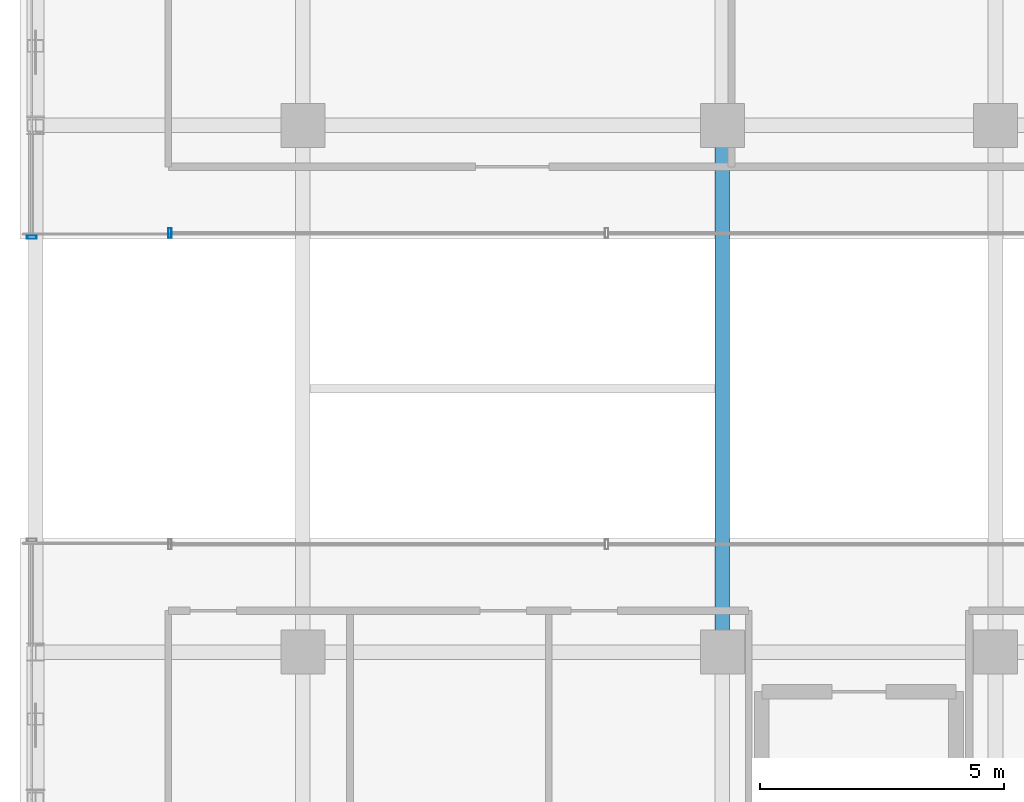
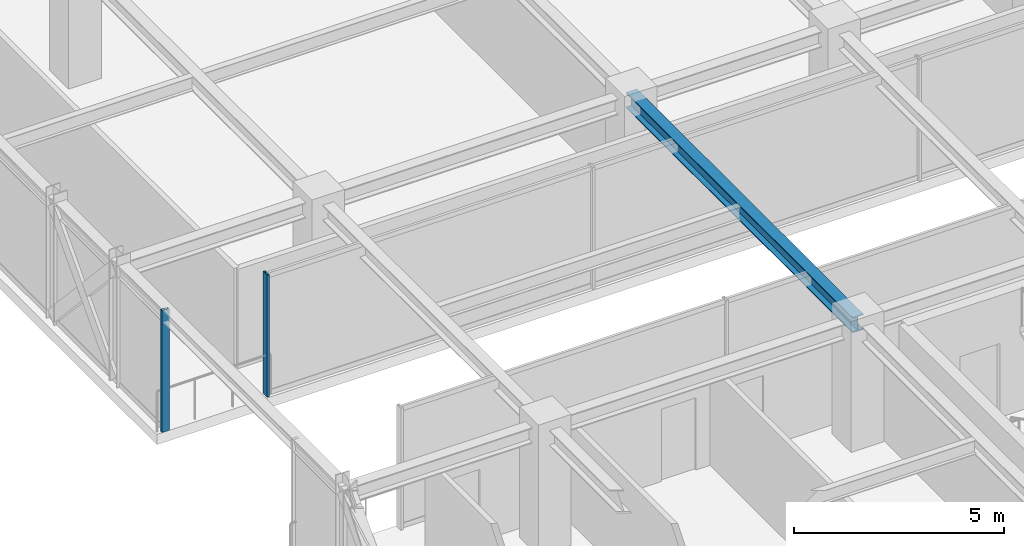
# One storey, part 11 of 39: 2 members, 1 beam, 2 elements without a shape of their own.
"""IFC4 building model written with IfcOpenShell, lengths in metres."""

from ifc_helpers import new_model, si_unit, direction, frame, origin, origin_2d, place, context, subcontext, project, spatial, hollow_rectangle, i_section, extrude, source, transform, mapped, material, material_profile, profile_set, type_object, element, aggregate, save


model = new_model("IFC4")

# Units and contexts
model_context = context("Model", 3, precision=1e-05, world=origin(), true_north=direction((0.0, 1.0)))
body_context = subcontext(model_context, "Body", "Model", "MODEL_VIEW")
ifc_project = project(units=[si_unit("LENGTHUNIT", "METRE"), si_unit("AREAUNIT", "SQUARE_METRE"), si_unit("VOLUMEUNIT", "CUBIC_METRE"), si_unit("PLANEANGLEUNIT", "RADIAN"), si_unit("MASSUNIT", "GRAM", prefix="KILO")], contexts=[model_context])

# Site, building, storey
site_placement = place(None, origin())
site = spatial("IfcSite", under=ifc_project, at=site_placement, CompositionType="ELEMENT")
building_placement = place(site_placement, origin())
building = spatial("IfcBuilding", under=site, at=building_placement, Name="Nahalor Promenade Grand Hotel", CompositionType="ELEMENT")
storey_placement = place(building_placement, frame((0.0, 0.0, 311.89990234375)))
storey = spatial("IfcBuildingStorey", under=building, at=storey_placement, Name="L80", CompositionType="ELEMENT", Elevation=311.89990234375)

# Beam
ifc_material_1 = material(Name="Steel S355JR", Category="steel")
ifc_material_profile_1 = material_profile(ifc_material_1, i_section(OverallWidth=0.3, OverallDepth=0.45, WebThickness=0.014, FlangeThickness=0.026, at=origin_2d()), Name="HEB 450")
ifc_profile_set_1 = profile_set([ifc_material_profile_1], Name="Steel S355JR")
beam_type = type_object("IfcBeamType", Name="Beam-Girder-HEB450", PredefinedType="BEAM", material=ifc_profile_set_1)
shared_shape_1 = source(origin(), body_context, "Body", "SweptSolid", [
    extrude(i_section(OverallWidth=0.3, OverallDepth=0.45, WebThickness=0.014, FlangeThickness=0.026, at=origin_2d()), origin(), (0.0, 0.0, 1.0), 10.7998046875),
])
beam_placement = place(storey_placement, frame((-8.39990234375, -5.39990234375, 3.3251953125), z_axis=(0.0, 1.0, 0.0), x_axis=(-1.0, 0.0, 0.0)))
element("IfcBeam", 1, at=beam_placement, inside=storey, type_object=beam_type, Name="BM-L80-GY-1-2", PredefinedType="BEAM", context=body_context, shape_type="MappedRepresentation", body=[
    mapped(shared_shape_1, transform((0.0, 0.0, 0.0), scale=1.0)),
])

# Curtain wall, member
ifc_material_2 = material(Name="Anodised Bronze Aluminium EN AW-6063 T6", Category="aluminium")
curtain_wall_type = type_object("IfcCurtainWallType", Name="CW3 Elliptical-Void Collar Unitised Curtain Wall", PredefinedType="USERDEFINED", material=ifc_material_2)
curtain_wall_1_placement = place(storey_placement, origin())
curtain_wall_1 = element("IfcCurtainWall", 2, at=curtain_wall_1_placement, inside=storey, type_object=curtain_wall_type, Name="L80 Curtain Wall CW-L80-W-2", ObjectType="UNITISED_CURTAIN_WALL", PredefinedType="USERDEFINED")
ifc_material_profile_2 = material_profile(ifc_material_2, hollow_rectangle(XDim=0.07, YDim=0.2, WallThickness=0.005, at=origin_2d()), Name="CWM 70x200x5")
ifc_profile_set_2 = profile_set([ifc_material_profile_2], Name="Anodised Bronze Aluminium EN AW-6063 T6")
member_type = type_object("IfcMemberType", Name="CWM3 Void Collar Mullion 70x200", PredefinedType="MULLION", material=ifc_profile_set_2)
shared_shape_2 = source(origin(), body_context, "Body", "SweptSolid", [
    extrude(hollow_rectangle(XDim=0.07, YDim=0.2, WallThickness=0.005, at=origin_2d()), origin(), (0.0, 0.0, 1.0), 3.550048828125),
])
member_1_placement = place(storey_placement, frame((-22.56005859375, 3.10595703125, 0.0), z_axis=(0.0, 0.0, 1.0), x_axis=(0.0, 1.0, 0.0)))
member_1 = element("IfcMember", 3, at=member_1_placement, type_object=member_type, Name="CW-L80-W-2 Mullion 0", PredefinedType="MULLION", context=body_context, shape_type="MappedRepresentation", body=[
    mapped(shared_shape_2, transform((0.0, 0.0, 0.0), scale=1.0)),
])
aggregate(curtain_wall_1, [member_1])

curtain_wall_2_placement = place(storey_placement, origin())
curtain_wall_2 = element("IfcCurtainWall", 4, at=curtain_wall_2_placement, inside=storey, type_object=curtain_wall_type, Name="L80 Curtain Wall CW-L80-VOID-WN1", ObjectType="UNITISED_CURTAIN_WALL", PredefinedType="USERDEFINED")
member_2_placement = place(storey_placement, frame((-19.72509765625, 3.19091796875, 0.0), z_axis=(0.0, 0.0, 1.0), x_axis=(1.0, 0.0, 0.0)))
member_2 = element("IfcMember", 5, at=member_2_placement, type_object=member_type, Name="CW-L80-VOID-WN1 Mullion 0", PredefinedType="MULLION", context=body_context, shape_type="MappedRepresentation", body=[
    mapped(shared_shape_2, transform((0.0, 0.0, 0.0), scale=1.0)),
])
aggregate(curtain_wall_2, [member_2])

save(model, "model.ifc")
